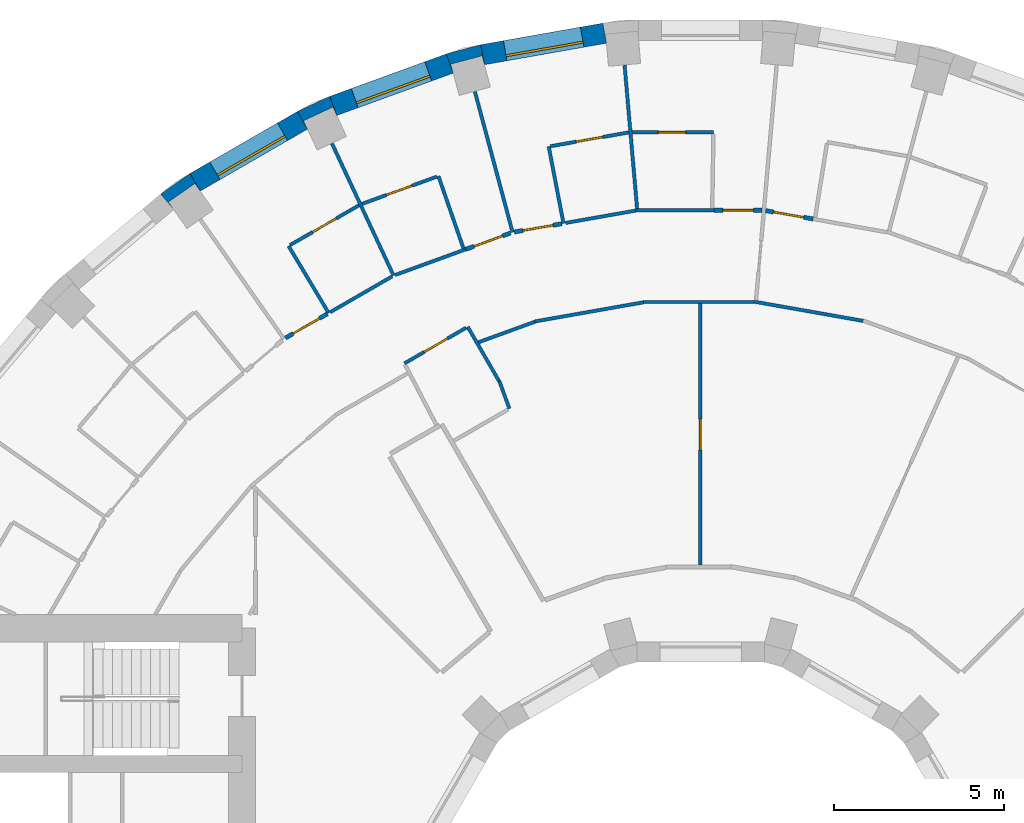
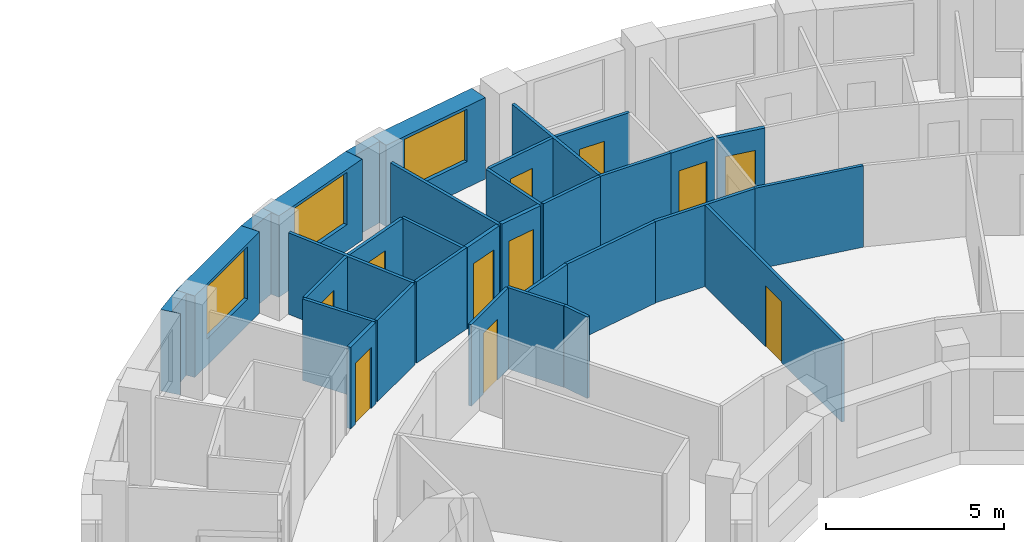
# One storey, part 9 of 12: 33 walls, 11 doors, 3 windows, 14 openings.
"""IFC4 building model written with IfcOpenShell, lengths in metres."""

from ifc_helpers import new_model, si_unit, direction, frame, frame_2d, origin, place, context, subcontext, project, spatial, polyline, rectangle, outline, extrude, material, layer, layer_set, type_object, element, fill, save


model = new_model("IFC4")

# Units and contexts
model_context = context("Model", 3, precision=1e-05, world=origin(), true_north=direction((0.0, 1.0)))
body_context = subcontext(model_context, "Body", "Model", "MODEL_VIEW")
ifc_project = project(units=[si_unit("LENGTHUNIT", "METRE"), si_unit("AREAUNIT", "SQUARE_METRE"), si_unit("VOLUMEUNIT", "CUBIC_METRE"), si_unit("PLANEANGLEUNIT", "RADIAN"), si_unit("MASSUNIT", "GRAM", prefix="KILO")], contexts=[model_context])

# Site, building, storey
site_placement = place(None, origin())
site = spatial("IfcSite", under=ifc_project, at=site_placement, CompositionType="ELEMENT")
building_placement = place(site_placement, origin())
building = spatial("IfcBuilding", under=site, at=building_placement, Name="Saqina Gate Tower", CompositionType="ELEMENT")
storey_placement = place(building_placement, frame((0.0, 0.0, 115.0)))
storey = spatial("IfcBuildingStorey", under=building, at=storey_placement, Name="L32", CompositionType="ELEMENT", Elevation=115.0)

# Walls
ifc_material_1 = material(Name="Brick masonry (buff)", Category="masonry")
wall_type_1 = type_object("IfcWallType", Name="BRICK PIER COPING BUFF", PredefinedType="SOLIDWALL", material=ifc_material_1)
wall_1_placement = place(storey_placement, origin())
element("IfcWall", 1, at=wall_1_placement, inside=storey, type_object=wall_type_1, Name="Pier cap L32 column 11", PredefinedType="SOLIDWALL", context=body_context, shape_type="SweptSolid", body=[
    extrude(outline(polyline([(-6.466796875, 26.171875), (-7.485595703125, 25.89892578125), (-7.2802734375, 25.335205078125), (-7.349853515625, 25.5947265625), (-6.43212890625, 25.8408203125), (-6.36279296875, 25.5810546875), (-6.466796875, 26.171875)])), origin(), (0.0, 0.0, 1.0), 2.800048828125),
])
wall_2_placement = place(storey_placement, origin())
element("IfcWall", 2, at=wall_2_placement, inside=storey, type_object=wall_type_1, Name="Pier cap L32 column 12", PredefinedType="SOLIDWALL", context=body_context, shape_type="SweptSolid", body=[
    extrude(outline(polyline([(-10.913330078125, 24.6513671875), (-11.869140625, 24.205810546875), (-11.569091796875, 23.68603515625), (-11.6826171875, 23.9296875), (-10.82177734375, 24.331298828125), (-10.7080078125, 24.08740234375), (-10.913330078125, 24.6513671875)])), origin(), (0.0, 0.0, 1.0), 2.800048828125),
])
wall_3_placement = place(storey_placement, origin())
element("IfcWall", 3, at=wall_3_placement, inside=storey, type_object=wall_type_1, Name="Pier cap L32 column 13", PredefinedType="SOLIDWALL", context=body_context, shape_type="SweptSolid", body=[
    extrude(outline(polyline([(-15.89208984375, 21.77685546875), (-15.50634765625, 21.317138671875), (-15.66064453125, 21.53759765625), (-14.88232421875, 22.08251953125), (-14.728271484375, 21.862060546875), (-15.0283203125, 22.3818359375), (-15.89208984375, 21.77685546875)])), origin(), (0.0, 0.0, 1.0), 2.800048828125),
])

# Wall, opening, window
ifc_material_2 = material(Name="Brick masonry (buff)", Category="masonry")
ifc_layer_1 = layer(ifc_material_2, 0.60009765625)
ifc_layer_set_1 = layer_set([ifc_layer_1], Name="FW-BRICK-BUFF")
wall_type_2 = type_object("IfcWallType", Name="FW-BRICK-BUFF", PredefinedType="SOLIDWALL", material=ifc_layer_set_1)
wall_4_placement = place(storey_placement, frame((-2.822265625, 26.510009765625, 0.0), z_axis=(0.0, 0.0, 1.0), x_axis=(-0.984803764455, -0.173670796382, 0.0)))
wall_4 = element("IfcWall", 4, at=wall_4_placement, inside=storey, type_object=wall_type_2, Name="Facade wall L32 facet 10", PredefinedType="SOLIDWALL", context=body_context, shape_type="SweptSolid", body=[
    extrude(rectangle(XDim=3.64794921875, YDim=0.60009765625, at=frame_2d((1.823974609375, 0.0))), origin(), (0.0, 0.0, 1.0), 2.800048828125),
])
opening_1_placement = place(wall_4_placement, frame((0.673828125, 0.0, 0.89990234375)))
opening_1 = element("IfcOpeningElement", 5, at=opening_1_placement, cuts=wall_4, Name="Opening G09-W08", PredefinedType="OPENING", context=body_context, shape_type="SweptSolid", body=[
    extrude(rectangle(XDim=2.300048828125, YDim=1.800048828125, at=frame_2d((1.14990234375, 0.89990234375))), frame((0.0, 0.31201171875, 0.0), z_axis=(0.0, -1.0, 0.0), x_axis=(1.0, 0.0, 0.0)), (0.0, 0.0, 1.0), 0.6240234375),
])
ifc_material_3 = material(Name="Aluminium glazing", Category="aluminium")
window_type = type_object("IfcWindowType", Name="WN-B", PartitioningType="SINGLE_PANEL", PredefinedType="WINDOW", material=ifc_material_3)
window_1_placement = place(opening_1_placement, origin())
window_1 = element("IfcWindow", 6, at=window_1_placement, inside=storey, type_object=window_type, Name="Window L32 facet 10", OverallHeight=1.800048828125, OverallWidth=2.300048828125, PartitioningType="SINGLE_PANEL", PredefinedType="WINDOW", context=body_context, shape_type="SweptSolid", body=[
    extrude(rectangle(XDim=2.300048828125, YDim=1.800048828125, at=frame_2d((1.14990234375, 0.89990234375))), frame((0.0, 0.179931640625, 0.0), z_axis=(0.0, -1.0, 0.0), x_axis=(1.0, 0.0, 0.0)), (0.0, 0.0, 1.0), 0.06005859375),
])
fill(opening_1, window_1)

wall_5_placement = place(storey_placement, frame((-7.3828125, 25.616943359375, 0.0), z_axis=(0.0, 0.0, 1.0), x_axis=(-0.939703505393, -0.341990236633, 0.0)))
wall_5 = element("IfcWall", 7, at=wall_5_placement, inside=storey, type_object=wall_type_2, Name="Facade wall L32 facet 11", PredefinedType="SOLIDWALL", context=body_context, shape_type="SweptSolid", body=[
    extrude(rectangle(XDim=3.64794921875, YDim=0.60009765625, at=frame_2d((1.823974609375, 0.0))), origin(), (0.0, 0.0, 1.0), 2.800048828125),
])
opening_2_placement = place(wall_5_placement, frame((0.673828125, 0.0, 0.89990234375)))
opening_2 = element("IfcOpeningElement", 8, at=opening_2_placement, cuts=wall_5, Name="Opening G09-W09", PredefinedType="OPENING", context=body_context, shape_type="SweptSolid", body=[
    extrude(rectangle(XDim=2.300048828125, YDim=1.800048828125, at=frame_2d((1.14990234375, 0.89990234375))), frame((0.0, 0.31201171875, 0.0), z_axis=(0.0, -1.0, 0.0), x_axis=(1.0, 0.0, 0.0)), (0.0, 0.0, 1.0), 0.6240234375),
])
window_2_placement = place(opening_2_placement, origin())
window_2 = element("IfcWindow", 9, at=window_2_placement, inside=storey, type_object=window_type, Name="Window L32 facet 11", OverallHeight=1.800048828125, OverallWidth=2.300048828125, PartitioningType="SINGLE_PANEL", PredefinedType="WINDOW", context=body_context, shape_type="SweptSolid", body=[
    extrude(rectangle(XDim=2.300048828125, YDim=1.800048828125, at=frame_2d((1.14990234375, 0.89990234375))), frame((0.0, 0.179931640625, 0.0), z_axis=(0.0, -1.0, 0.0), x_axis=(1.0, 0.0, 0.0)), (0.0, 0.0, 1.0), 0.06005859375),
])
fill(opening_2, window_2)

wall_6_placement = place(storey_placement, frame((-11.718994140625, 23.94580078125, 0.0), z_axis=(0.0, 0.0, 1.0), x_axis=(-0.866051847062, -0.499954196102, 0.0)))
wall_6 = element("IfcWall", 10, at=wall_6_placement, inside=storey, type_object=wall_type_2, Name="Facade wall L32 facet 12", PredefinedType="SOLIDWALL", context=body_context, shape_type="SweptSolid", body=[
    extrude(rectangle(XDim=3.647705078125, YDim=0.60009765625, at=frame_2d((1.82373046875, 0.0))), origin(), (0.0, 0.0, 1.0), 2.800048828125),
])
opening_3_placement = place(wall_6_placement, frame((0.673828125, 0.0, 0.89990234375)))
opening_3 = element("IfcOpeningElement", 11, at=opening_3_placement, cuts=wall_6, Name="Opening G09-W10", PredefinedType="OPENING", context=body_context, shape_type="SweptSolid", body=[
    extrude(rectangle(XDim=2.300048828125, YDim=1.800048828125, at=frame_2d((1.14990234375, 0.89990234375))), frame((0.0, 0.31201171875, 0.0), z_axis=(0.0, -1.0, 0.0), x_axis=(1.0, 0.0, 0.0)), (0.0, 0.0, 1.0), 0.6240234375),
])
window_3_placement = place(opening_3_placement, origin())
window_3 = element("IfcWindow", 12, at=window_3_placement, inside=storey, type_object=window_type, Name="Window L32 facet 12", OverallHeight=1.800048828125, OverallWidth=2.300048828125, PartitioningType="SINGLE_PANEL", PredefinedType="WINDOW", context=body_context, shape_type="SweptSolid", body=[
    extrude(rectangle(XDim=2.300048828125, YDim=1.800048828125, at=frame_2d((1.14990234375, 0.89990234375))), frame((0.0, 0.179931640625, 0.0), z_axis=(0.0, -1.0, 0.0), x_axis=(1.0, 0.0, 0.0)), (0.0, 0.0, 1.0), 0.06005859375),
])
fill(opening_3, window_3)

# Wall, opening, door
ifc_material_4 = material(Name="Gypsum board on steel studs, 100 mm", Category="steel")
ifc_layer_2 = layer(ifc_material_4, 0.10009765625)
ifc_layer_set_2 = layer_set([ifc_layer_2], Name="PARTITION 100")
wall_type_3 = type_object("IfcWallType", Name="PARTITION 100", PredefinedType="PARTITIONING", material=ifc_layer_set_2)
wall_7_placement = place(storey_placement, frame((-0.010986328125, 18.549072265625, 0.0), z_axis=(0.0, 0.0, 1.0), x_axis=(0.00063524317, -0.999999798233, 0.0)))
wall_7 = element("IfcWall", 13, at=wall_7_placement, inside=storey, type_object=wall_type_3, Name="PARTITION PW3-01", PredefinedType="PARTITIONING", context=body_context, shape_type="SweptSolid", body=[
    extrude(rectangle(XDim=7.6865234375, YDim=0.10009765625, at=frame_2d((3.84326171875, 0.0))), origin(), (0.0, 0.0, 1.0), 2.800048828125),
])
opening_4_placement = place(wall_7_placement, frame((3.400390625, 0.0, 0.0)))
opening_4 = element("IfcOpeningElement", 14, at=opening_4_placement, cuts=wall_7, Name="Opening G09-D12", PredefinedType="OPENING", context=body_context, shape_type="SweptSolid", body=[
    extrude(rectangle(XDim=0.89990234375, YDim=2.10009765625, at=frame_2d((0.449951171875, 1.050048828125))), frame((0.0, 0.06201171875, 0.0), z_axis=(0.0, -1.0, 0.0), x_axis=(1.0, 0.0, 0.0)), (0.0, 0.0, 1.0), 0.1240234375),
])
ifc_material_5 = material(Name="Timber door leaf, 900 mm", Category="wood")
door_type_1 = type_object("IfcDoorType", Name="DOOR 900 TIMBER", OperationType="SINGLE_SWING_LEFT", PredefinedType="DOOR", material=ifc_material_5)
door_1_placement = place(opening_4_placement, frame((0.89990234375, 0.0, 0.0), z_axis=(0.0, 0.0, 1.0), x_axis=(-1.0, 0.0, 0.0)))
door_1 = element("IfcDoor", 15, at=door_1_placement, inside=storey, type_object=door_type_1, Name="DOOR G09-D12", OperationType="SINGLE_SWING_LEFT", OverallHeight=2.10009765625, OverallWidth=0.89990234375, PredefinedType="DOOR", context=body_context, shape_type="SweptSolid", body=[
    extrude(rectangle(XDim=0.89990234375, YDim=2.10009765625, at=frame_2d((0.449951171875, 1.050048828125))), frame((0.0, 0.02490234375, 0.0), z_axis=(0.0, -1.0, 0.0), x_axis=(1.0, 0.0, 0.0)), (0.0, 0.0, 1.0), 0.050048828125),
])
fill(opening_4, door_1)

# Walls
wall_8_placement = place(storey_placement, frame((-2.2373046875, 25.5673828125, 0.0), z_axis=(0.0, 0.0, 1.0), x_axis=(0.087069733525, -0.996202219182, 0.0)))
element("IfcWall", 16, at=wall_8_placement, inside=storey, type_object=wall_type_3, Name="PARTITION PW3-03", PredefinedType="PARTITIONING", context=body_context, shape_type="SweptSolid", body=[
    extrude(rectangle(XDim=4.23681640625, YDim=0.10009765625, at=frame_2d((2.118408203125, 0.0))), origin(), (0.0, 0.0, 1.0), 2.800048828125),
])
wall_9_placement = place(storey_placement, frame((-4.469970703125, 23.173095703125, 0.0), z_axis=(0.0, 0.0, 1.0), x_axis=(0.189111104653, -0.981955696606, 0.0)))
element("IfcWall", 17, at=wall_9_placement, inside=storey, type_object=wall_type_3, Name="PARTITION PW3-05", PredefinedType="PARTITIONING", context=body_context, shape_type="SweptSolid", body=[
    extrude(rectangle(XDim=2.300537109375, YDim=0.10009765625, at=frame_2d((1.150390625, 0.0))), origin(), (0.0, 0.0, 1.0), 2.800048828125),
])
wall_10_placement = place(storey_placement, frame((-6.642333984375, 24.79052734375, 0.0), z_axis=(0.0, 0.0, 1.0), x_axis=(0.258796817064, -0.965931782, 0.0)))
element("IfcWall", 18, at=wall_10_placement, inside=storey, type_object=wall_type_3, Name="PARTITION PW3-06", PredefinedType="PARTITIONING", context=body_context, shape_type="SweptSolid", body=[
    extrude(rectangle(XDim=4.28662109375, YDim=0.10009765625, at=frame_2d((2.143310546875, 0.0))), origin(), (0.0, 0.0, 1.0), 2.800048828125),
])
wall_11_placement = place(storey_placement, frame((-7.715087890625, 22.303955078125, 0.0), z_axis=(0.0, 0.0, 1.0), x_axis=(0.326980146938, -0.94503120769, 0.0)))
element("IfcWall", 19, at=wall_11_placement, inside=storey, type_object=wall_type_3, Name="PARTITION PW3-07", PredefinedType="PARTITIONING", context=body_context, shape_type="SweptSolid", body=[
    extrude(rectangle(XDim=2.25048828125, YDim=0.10009765625, at=frame_2d((1.125244140625, 0.0))), origin(), (0.0, 0.0, 1.0), 2.800048828125),
])
wall_12_placement = place(storey_placement, frame((-5.92529296875, 16.27880859375, 0.0), z_axis=(0.0, 0.0, 1.0), x_axis=(0.3425983225, -0.939481979295, 0.0)))
element("IfcWall", 20, at=wall_12_placement, inside=storey, type_object=wall_type_3, Name="PARTITION PW3-08", PredefinedType="PARTITIONING", context=body_context, shape_type="SweptSolid", body=[
    extrude(rectangle(XDim=0.870849609375, YDim=0.10009765625, at=frame_2d((0.435546875, 0.0))), origin(), (0.0, 0.0, 1.0), 2.800048828125),
])
wall_13_placement = place(storey_placement, frame((-10.84716796875, 23.260009765625, 0.0), z_axis=(0.0, 0.0, 1.0), x_axis=(0.422829334028, -0.906209332487, 0.0)))
element("IfcWall", 21, at=wall_13_placement, inside=storey, type_object=wall_type_3, Name="PARTITION PW3-09", PredefinedType="PARTITIONING", context=body_context, shape_type="SweptSolid", body=[
    extrude(rectangle(XDim=4.2861328125, YDim=0.10009765625, at=frame_2d((2.14306640625, 0.0))), origin(), (0.0, 0.0, 1.0), 2.800048828125),
])
wall_14_placement = place(storey_placement, frame((-6.85302734375, 17.867919921875, 0.0), z_axis=(0.0, 0.0, 1.0), x_axis=(0.499963655964, -0.866046386007, 0.0)))
element("IfcWall", 22, at=wall_14_placement, inside=storey, type_object=wall_type_3, Name="PARTITION PW3-13", PredefinedType="PARTITIONING", context=body_context, shape_type="SweptSolid", body=[
    extrude(rectangle(XDim=1.840087890625, YDim=0.10009765625, at=frame_2d((0.919921875, 0.0))), origin(), (0.0, 0.0, 1.0), 2.800048828125),
])
wall_15_placement = place(storey_placement, frame((-12.1259765625, 20.2470703125, 0.0), z_axis=(0.0, 0.0, 1.0), x_axis=(0.513668498435, -0.857988737522, 0.0)))
element("IfcWall", 23, at=wall_15_placement, inside=storey, type_object=wall_type_3, Name="PARTITION PW3-15", PredefinedType="PARTITIONING", context=body_context, shape_type="SweptSolid", body=[
    extrude(rectangle(XDim=2.30078125, YDim=0.10009765625, at=frame_2d((1.150390625, 0.0))), origin(), (0.0, 0.0, 1.0), 2.800048828125),
])
wall_16_placement = place(storey_placement, frame((1.576904296875, 18.60791015625, 0.0), z_axis=(0.0, 0.0, 1.0), x_axis=(0.984812236301, -0.173622749755, 0.0)))
element("IfcWall", 24, at=wall_16_placement, inside=storey, type_object=wall_type_3, Name="PARTITION PW3-49", PredefinedType="PARTITIONING", context=body_context, shape_type="SweptSolid", body=[
    extrude(rectangle(XDim=3.25537109375, YDim=0.10009765625, at=frame_2d((1.627685546875, 0.0))), origin(), (0.0, 0.0, 1.0), 2.800048828125),
])
wall_17_placement = place(storey_placement, frame((-1.677734375, 18.59912109375, 0.0), z_axis=(0.0, 0.0, 1.0), x_axis=(1.0, 0.0, 0.0)))
element("IfcWall", 25, at=wall_17_placement, inside=storey, type_object=wall_type_3, Name="PARTITION PW3-55", PredefinedType="PARTITIONING", context=body_context, shape_type="SweptSolid", body=[
    extrude(rectangle(XDim=3.254638671875, YDim=0.10009765625, at=frame_2d((1.62744140625, 0.0))), origin(), (0.0, 0.0, 1.0), 2.800048828125),
])
wall_18_placement = place(storey_placement, frame((-1.913818359375, 21.297119140625, 0.0), z_axis=(0.0, 0.0, 1.0), x_axis=(1.0, 0.0, 0.0)))
element("IfcWall", 26, at=wall_18_placement, inside=storey, type_object=wall_type_3, Name="PARTITION PW3-56", PredefinedType="PARTITIONING", context=body_context, shape_type="SweptSolid", body=[
    extrude(rectangle(XDim=2.304931640625, YDim=0.10009765625, at=frame_2d((1.15234375, 0.0))), origin(), (0.0, 0.0, 1.0), 2.800048828125),
])

# Wall, opening, door
wall_19_placement = place(storey_placement, frame((-2.013916015625, 23.596923828125, 0.0), z_axis=(0.0, 0.0, 1.0), x_axis=(1.0, 0.0, 0.0)))
wall_19 = element("IfcWall", 27, at=wall_19_placement, inside=storey, type_object=wall_type_3, Name="PARTITION PW3-57", PredefinedType="PARTITIONING", context=body_context, shape_type="SweptSolid", body=[
    extrude(rectangle(XDim=2.391845703125, YDim=0.10009765625, at=frame_2d((1.19580078125, 0.0))), origin(), (0.0, 0.0, 1.0), 2.800048828125),
])
opening_5_placement = place(wall_19_placement, frame((0.77099609375, 0.0, 0.0)))
opening_5 = element("IfcOpeningElement", 28, at=opening_5_placement, cuts=wall_19, Name="Opening G09-D13", PredefinedType="OPENING", context=body_context, shape_type="SweptSolid", body=[
    extrude(rectangle(XDim=0.800048828125, YDim=2.10009765625, at=frame_2d((0.39990234375, 1.050048828125))), frame((0.0, 0.06201171875, 0.0), z_axis=(0.0, -1.0, 0.0), x_axis=(1.0, 0.0, 0.0)), (0.0, 0.0, 1.0), 0.1240234375),
])
ifc_material_6 = material(Name="Timber door leaf, 800 mm", Category="wood")
door_type_2 = type_object("IfcDoorType", Name="DOOR 800 TIMBER", OperationType="SINGLE_SWING_LEFT", PredefinedType="DOOR", material=ifc_material_6)
door_2_placement = place(opening_5_placement, origin())
door_2 = element("IfcDoor", 29, at=door_2_placement, inside=storey, type_object=door_type_2, Name="DOOR G09-D13", OperationType="SINGLE_SWING_LEFT", OverallHeight=2.10009765625, OverallWidth=0.800048828125, PredefinedType="DOOR", context=body_context, shape_type="SweptSolid", body=[
    extrude(rectangle(XDim=0.800048828125, YDim=2.10009765625, at=frame_2d((0.39990234375, 1.050048828125))), frame((0.0, 0.02490234375, 0.0), z_axis=(0.0, -1.0, 0.0), x_axis=(1.0, 0.0, 0.0)), (0.0, 0.0, 1.0), 0.050048828125),
])
fill(opening_5, door_2)

# Walls
wall_20_placement = place(storey_placement, frame((-4.882080078125, 18.025146484375, 0.0), z_axis=(0.0, 0.0, 1.0), x_axis=(0.984812236301, 0.173622749755, 0.0)))
element("IfcWall", 30, at=wall_20_placement, inside=storey, type_object=wall_type_3, Name="PARTITION PW3-61", PredefinedType="PARTITIONING", context=body_context, shape_type="SweptSolid", body=[
    extrude(rectangle(XDim=3.25537109375, YDim=0.10009765625, at=frame_2d((1.627685546875, 0.0))), origin(), (0.0, 0.0, 1.0), 2.800048828125),
])
wall_21_placement = place(storey_placement, frame((-3.973388671875, 20.9248046875, 0.0), z_axis=(0.0, 0.0, 1.0), x_axis=(0.984798821906, 0.173698820874, 0.0)))
element("IfcWall", 31, at=wall_21_placement, inside=storey, type_object=wall_type_3, Name="PARTITION PW3-62", PredefinedType="PARTITIONING", context=body_context, shape_type="SweptSolid", body=[
    extrude(rectangle(XDim=2.0927734375, YDim=0.10009765625, at=frame_2d((1.04638671875, 0.0))), origin(), (0.0, 0.0, 1.0), 2.800048828125),
])

# Wall, opening, door
wall_22_placement = place(storey_placement, frame((-4.420654296875, 23.181640625, 0.0), z_axis=(0.0, 0.0, 1.0), x_axis=(0.98481606109, 0.173601053621, 0.0)))
wall_22 = element("IfcWall", 32, at=wall_22_placement, inside=storey, type_object=wall_type_3, Name="PARTITION PW3-63", PredefinedType="PARTITIONING", context=body_context, shape_type="SweptSolid", body=[
    extrude(rectangle(XDim=2.343017578125, YDim=0.10009765625, at=frame_2d((1.17138671875, 0.0))), origin(), (0.0, 0.0, 1.0), 2.800048828125),
])
opening_6_placement = place(wall_22_placement, frame((0.771484375, 0.0, 0.0)))
opening_6 = element("IfcOpeningElement", 33, at=opening_6_placement, cuts=wall_22, Name="Opening G09-D14", PredefinedType="OPENING", context=body_context, shape_type="SweptSolid", body=[
    extrude(rectangle(XDim=0.800048828125, YDim=2.10009765625, at=frame_2d((0.39990234375, 1.050048828125))), frame((0.0, 0.06201171875, 0.0), z_axis=(0.0, -1.0, 0.0), x_axis=(1.0, 0.0, 0.0)), (0.0, 0.0, 1.0), 0.1240234375),
])
door_3_placement = place(opening_6_placement, origin())
door_3 = element("IfcDoor", 34, at=door_3_placement, inside=storey, type_object=door_type_2, Name="DOOR G09-D14", OperationType="SINGLE_SWING_LEFT", OverallHeight=2.10009765625, OverallWidth=0.800048828125, PredefinedType="DOOR", context=body_context, shape_type="SweptSolid", body=[
    extrude(rectangle(XDim=0.800048828125, YDim=2.10009765625, at=frame_2d((0.39990234375, 1.050048828125))), frame((0.0, 0.02490234375, 0.0), z_axis=(0.0, -1.0, 0.0), x_axis=(1.0, 0.0, 0.0)), (0.0, 0.0, 1.0), 0.050048828125),
])
fill(opening_6, door_3)

# Walls
wall_23_placement = place(storey_placement, frame((-6.533935546875, 17.4140625, 0.0), z_axis=(0.0, 0.0, 1.0), x_axis=(0.93961928365, 0.342221568275, 0.0)))
element("IfcWall", 35, at=wall_23_placement, inside=storey, type_object=wall_type_3, Name="PARTITION PW3-64", PredefinedType="PARTITIONING", context=body_context, shape_type="SweptSolid", body=[
    extrude(rectangle(XDim=1.761474609375, YDim=0.10009765625, at=frame_2d((0.880859375, 0.0))), origin(), (0.0, 0.0, 1.0), 2.800048828125),
])
wall_24_placement = place(storey_placement, frame((-8.988037109375, 19.39306640625, 0.0), z_axis=(0.0, 0.0, 1.0), x_axis=(0.939693168022, 0.342018639804, 0.0)))
element("IfcWall", 36, at=wall_24_placement, inside=storey, type_object=wall_type_3, Name="PARTITION PW3-65", PredefinedType="PARTITIONING", context=body_context, shape_type="SweptSolid", body=[
    extrude(rectangle(XDim=2.205078125, YDim=0.10009765625, at=frame_2d((1.1025390625, 0.0))), origin(), (0.0, 0.0, 1.0), 2.800048828125),
])

# Wall, opening, door
wall_25_placement = place(storey_placement, frame((-9.964111328125, 21.485107421875, 0.0), z_axis=(0.0, 0.0, 1.0), x_axis=(0.939659520623, 0.342111071588, 0.0)))
wall_25 = element("IfcWall", 37, at=wall_25_placement, inside=storey, type_object=wall_type_3, Name="PARTITION PW3-66", PredefinedType="PARTITIONING", context=body_context, shape_type="SweptSolid", body=[
    extrude(rectangle(XDim=2.343505859375, YDim=0.10009765625, at=frame_2d((1.171875, 0.0))), origin(), (0.0, 0.0, 1.0), 2.800048828125),
])
opening_7_placement = place(wall_25_placement, frame((0.771728515625, 0.0, 0.0)))
opening_7 = element("IfcOpeningElement", 38, at=opening_7_placement, cuts=wall_25, Name="Opening G09-D17", PredefinedType="OPENING", context=body_context, shape_type="SweptSolid", body=[
    extrude(rectangle(XDim=0.800048828125, YDim=2.10009765625, at=frame_2d((0.39990234375, 1.050048828125))), frame((0.0, 0.06201171875, 0.0), z_axis=(0.0, -1.0, 0.0), x_axis=(1.0, 0.0, 0.0)), (0.0, 0.0, 1.0), 0.1240234375),
])
door_4_placement = place(opening_7_placement, origin())
door_4 = element("IfcDoor", 39, at=door_4_placement, inside=storey, type_object=door_type_2, Name="DOOR G09-D17", OperationType="SINGLE_SWING_LEFT", OverallHeight=2.10009765625, OverallWidth=0.800048828125, PredefinedType="DOOR", context=body_context, shape_type="SweptSolid", body=[
    extrude(rectangle(XDim=0.800048828125, YDim=2.10009765625, at=frame_2d((0.39990234375, 1.050048828125))), frame((0.0, 0.02490234375, 0.0), z_axis=(0.0, -1.0, 0.0), x_axis=(1.0, 0.0, 0.0)), (0.0, 0.0, 1.0), 0.050048828125),
])
fill(opening_7, door_4)

wall_26_placement = place(storey_placement, frame((-8.717041015625, 16.791015625, 0.0), z_axis=(0.0, 0.0, 1.0), x_axis=(0.865866191869, 0.50027566179, 0.0)))
wall_26 = element("IfcWall", 40, at=wall_26_placement, inside=storey, type_object=wall_type_3, Name="PARTITION PW3-69", PredefinedType="PARTITIONING", context=body_context, shape_type="SweptSolid", body=[
    extrude(rectangle(XDim=2.100830078125, YDim=0.10009765625, at=frame_2d((1.05029296875, 0.0))), origin(), (0.0, 0.0, 1.0), 2.800048828125),
])
opening_8_placement = place(wall_26_placement, frame((0.676513671875, 0.0, 0.0)))
opening_8 = element("IfcOpeningElement", 41, at=opening_8_placement, cuts=wall_26, Name="Opening G09-D18", PredefinedType="OPENING", context=body_context, shape_type="SweptSolid", body=[
    extrude(rectangle(XDim=0.800048828125, YDim=2.10009765625, at=frame_2d((0.39990234375, 1.050048828125))), frame((0.0, 0.06201171875, 0.0), z_axis=(0.0, -1.0, 0.0), x_axis=(1.0, 0.0, 0.0)), (0.0, 0.0, 1.0), 0.1240234375),
])
door_5_placement = place(opening_8_placement, origin())
door_5 = element("IfcDoor", 42, at=door_5_placement, inside=storey, type_object=door_type_2, Name="DOOR G09-D18", OperationType="SINGLE_SWING_RIGHT", OverallHeight=2.10009765625, OverallWidth=0.800048828125, PredefinedType="DOOR", context=body_context, shape_type="SweptSolid", body=[
    extrude(rectangle(XDim=0.800048828125, YDim=2.10009765625, at=frame_2d((0.39990234375, 1.050048828125))), frame((0.0, 0.02490234375, 0.0), z_axis=(0.0, -1.0, 0.0), x_axis=(1.0, 0.0, 0.0)), (0.0, 0.0, 1.0), 0.050048828125),
])
fill(opening_8, door_5)

# Wall
wall_27_placement = place(storey_placement, frame((-10.900634765625, 18.298095703125, 0.0), z_axis=(0.0, 0.0, 1.0), x_axis=(0.865841622723, 0.50031818312, 0.0)))
element("IfcWall", 43, at=wall_27_placement, inside=storey, type_object=wall_type_3, Name="PARTITION PW3-70", PredefinedType="PARTITIONING", context=body_context, shape_type="SweptSolid", body=[
    extrude(rectangle(XDim=2.104736328125, YDim=0.10009765625, at=frame_2d((1.05224609375, 0.0))), origin(), (0.0, 0.0, 1.0), 2.800048828125),
])

# Wall, opening, door
wall_28_placement = place(storey_placement, frame((-12.082763671875, 20.27197265625, 0.0), z_axis=(0.0, 0.0, 1.0), x_axis=(0.86603458294, 0.499984100898, 0.0)))
wall_28 = element("IfcWall", 44, at=wall_28_placement, inside=storey, type_object=wall_type_3, Name="PARTITION PW3-71", PredefinedType="PARTITIONING", context=body_context, shape_type="SweptSolid", body=[
    extrude(rectangle(XDim=2.34228515625, YDim=0.10009765625, at=frame_2d((1.171142578125, 0.0))), origin(), (0.0, 0.0, 1.0), 2.800048828125),
])
opening_9_placement = place(wall_28_placement, frame((0.77099609375, 0.0, 0.0)))
opening_9 = element("IfcOpeningElement", 45, at=opening_9_placement, cuts=wall_28, Name="Opening G09-D19", PredefinedType="OPENING", context=body_context, shape_type="SweptSolid", body=[
    extrude(rectangle(XDim=0.800048828125, YDim=2.10009765625, at=frame_2d((0.39990234375, 1.050048828125))), frame((0.0, 0.06201171875, 0.0), z_axis=(0.0, -1.0, 0.0), x_axis=(1.0, 0.0, 0.0)), (0.0, 0.0, 1.0), 0.1240234375),
])
door_6_placement = place(opening_9_placement, origin())
door_6 = element("IfcDoor", 46, at=door_6_placement, inside=storey, type_object=door_type_2, Name="DOOR G09-D19", OperationType="SINGLE_SWING_RIGHT", OverallHeight=2.10009765625, OverallWidth=0.800048828125, PredefinedType="DOOR", context=body_context, shape_type="SweptSolid", body=[
    extrude(rectangle(XDim=0.800048828125, YDim=2.10009765625, at=frame_2d((0.39990234375, 1.050048828125))), frame((0.0, 0.02490234375, 0.0), z_axis=(0.0, -1.0, 0.0), x_axis=(1.0, 0.0, 0.0)), (0.0, 0.0, 1.0), 0.050048828125),
])
fill(opening_9, door_6)

ifc_material_7 = material(Name="Gypsum board on steel studs, 125 mm, fire rated", Category="steel")
ifc_layer_3 = layer(ifc_material_7, 0.125)
ifc_layer_set_3 = layer_set([ifc_layer_3], Name="PARTITION EI 30 125")
wall_type_4 = type_object("IfcWallType", Name="PARTITION EI 30 125", PredefinedType="PARTITIONING", material=ifc_layer_set_3)
wall_29_placement = place(storey_placement, frame((1.912353515625, 21.288330078125, 0.0), z_axis=(0.0, 0.0, 1.0), x_axis=(0.984849170905, -0.173413121097, 0.0)))
wall_29 = element("IfcWall", 47, at=wall_29_placement, inside=storey, type_object=wall_type_4, Name="PARTITION PW1-22", PredefinedType="PARTITIONING", context=body_context, shape_type="SweptSolid", body=[
    extrude(rectangle(XDim=1.421875, YDim=0.125, at=frame_2d((0.7109375, 0.0))), origin(), (0.0, 0.0, 1.0), 2.800048828125),
])
opening_10_placement = place(wall_29_placement, frame((0.2373046875, 0.0, 0.0)))
opening_10 = element("IfcOpeningElement", 48, at=opening_10_placement, cuts=wall_29, Name="Opening G09-D09", PredefinedType="OPENING", context=body_context, shape_type="SweptSolid", body=[
    extrude(rectangle(XDim=0.89990234375, YDim=2.10009765625, at=frame_2d((0.449951171875, 1.050048828125))), frame((0.0, 0.074462890625, 0.0), z_axis=(0.0, -1.0, 0.0), x_axis=(1.0, 0.0, 0.0)), (0.0, 0.0, 1.0), 0.14892578125),
])
ifc_material_8 = material(Name="Fire door leaf EI 30, 900 mm")
door_type_3 = type_object("IfcDoorType", Name="DOOR 900 EI 30", OperationType="SINGLE_SWING_LEFT", PredefinedType="DOOR", material=ifc_material_8)
door_7_placement = place(opening_10_placement, frame((0.89990234375, 0.0, 0.0), z_axis=(0.0, 0.0, 1.0), x_axis=(-1.0, 0.0, 0.0)))
door_7 = element("IfcDoor", 49, at=door_7_placement, inside=storey, type_object=door_type_3, Name="DOOR G09-D09", OperationType="SINGLE_SWING_RIGHT", OverallHeight=2.10009765625, OverallWidth=0.89990234375, PredefinedType="DOOR", context=body_context, shape_type="SweptSolid", body=[
    extrude(rectangle(XDim=0.89990234375, YDim=2.10009765625, at=frame_2d((0.449951171875, 1.050048828125))), frame((0.0, 0.02490234375, 0.0), z_axis=(0.0, -1.0, 0.0), x_axis=(1.0, 0.0, 0.0)), (0.0, 0.0, 1.0), 0.050048828125),
])
fill(opening_10, door_7)

wall_30_placement = place(storey_placement, frame((0.39111328125, 21.297119140625, 0.0), z_axis=(0.0, 0.0, 1.0), x_axis=(1.0, 0.0, 0.0)))
wall_30 = element("IfcWall", 50, at=wall_30_placement, inside=storey, type_object=wall_type_4, Name="PARTITION PW1-26", PredefinedType="PARTITIONING", context=body_context, shape_type="SweptSolid", body=[
    extrude(rectangle(XDim=1.421875, YDim=0.125, at=frame_2d((0.7109375, 0.0))), origin(), (0.0, 0.0, 1.0), 2.800048828125),
])
opening_11_placement = place(wall_30_placement, frame((0.260986328125, 0.0, 0.0)))
opening_11 = element("IfcOpeningElement", 51, at=opening_11_placement, cuts=wall_30, Name="Opening G09-D11", PredefinedType="OPENING", context=body_context, shape_type="SweptSolid", body=[
    extrude(rectangle(XDim=0.89990234375, YDim=2.10009765625, at=frame_2d((0.449951171875, 1.050048828125))), frame((0.0, 0.074462890625, 0.0), z_axis=(0.0, -1.0, 0.0), x_axis=(1.0, 0.0, 0.0)), (0.0, 0.0, 1.0), 0.14892578125),
])
door_8_placement = place(opening_11_placement, frame((0.89990234375, 0.0, 0.0), z_axis=(0.0, 0.0, 1.0), x_axis=(-1.0, 0.0, 0.0)))
door_8 = element("IfcDoor", 52, at=door_8_placement, inside=storey, type_object=door_type_3, Name="DOOR G09-D11", OperationType="SINGLE_SWING_LEFT", OverallHeight=2.10009765625, OverallWidth=0.89990234375, PredefinedType="DOOR", context=body_context, shape_type="SweptSolid", body=[
    extrude(rectangle(XDim=0.89990234375, YDim=2.10009765625, at=frame_2d((0.449951171875, 1.050048828125))), frame((0.0, 0.02490234375, 0.0), z_axis=(0.0, -1.0, 0.0), x_axis=(1.0, 0.0, 0.0)), (0.0, 0.0, 1.0), 0.050048828125),
])
fill(opening_11, door_8)

wall_31_placement = place(storey_placement, frame((-5.483642578125, 20.658447265625, 0.0), z_axis=(0.0, 0.0, 1.0), x_axis=(0.985189047637, 0.17147168984, 0.0)))
wall_31 = element("IfcWall", 53, at=wall_31_placement, inside=storey, type_object=wall_type_4, Name="PARTITION PW1-27", PredefinedType="PARTITIONING", context=body_context, shape_type="SweptSolid", body=[
    extrude(rectangle(XDim=1.4208984375, YDim=0.125, at=frame_2d((0.71044921875, 0.0))), origin(), (0.0, 0.0, 1.0), 2.800048828125),
])
opening_12_placement = place(wall_31_placement, frame((0.260498046875, 0.0, 0.0)))
opening_12 = element("IfcOpeningElement", 54, at=opening_12_placement, cuts=wall_31, Name="Opening G09-D15", PredefinedType="OPENING", context=body_context, shape_type="SweptSolid", body=[
    extrude(rectangle(XDim=0.89990234375, YDim=2.10009765625, at=frame_2d((0.449951171875, 1.050048828125))), frame((0.0, 0.074462890625, 0.0), z_axis=(0.0, -1.0, 0.0), x_axis=(1.0, 0.0, 0.0)), (0.0, 0.0, 1.0), 0.14892578125),
])
door_9_placement = place(opening_12_placement, frame((0.89990234375, 0.0, 0.0), z_axis=(0.0, 0.0, 1.0), x_axis=(-1.0, 0.0, 0.0)))
door_9 = element("IfcDoor", 55, at=door_9_placement, inside=storey, type_object=door_type_3, Name="DOOR G09-D15", OperationType="SINGLE_SWING_RIGHT", OverallHeight=2.10009765625, OverallWidth=0.89990234375, PredefinedType="DOOR", context=body_context, shape_type="SweptSolid", body=[
    extrude(rectangle(XDim=0.89990234375, YDim=2.10009765625, at=frame_2d((0.449951171875, 1.050048828125))), frame((0.0, 0.02490234375, 0.0), z_axis=(0.0, -1.0, 0.0), x_axis=(1.0, 0.0, 0.0)), (0.0, 0.0, 1.0), 0.050048828125),
])
fill(opening_12, door_9)

wall_32_placement = place(storey_placement, frame((-6.916015625, 20.14697265625, 0.0), z_axis=(0.0, 0.0, 1.0), x_axis=(0.9397580078, 0.341840440522, 0.0)))
wall_32 = element("IfcWall", 56, at=wall_32_placement, inside=storey, type_object=wall_type_4, Name="PARTITION PW1-33", PredefinedType="PARTITIONING", context=body_context, shape_type="SweptSolid", body=[
    extrude(rectangle(XDim=1.4091796875, YDim=0.125, at=frame_2d((0.70458984375, 0.0))), origin(), (0.0, 0.0, 1.0), 2.800048828125),
])
opening_13_placement = place(wall_32_placement, frame((0.26025390625, 0.0, 0.0)))
opening_13 = element("IfcOpeningElement", 57, at=opening_13_placement, cuts=wall_32, Name="Opening G09-D16", PredefinedType="OPENING", context=body_context, shape_type="SweptSolid", body=[
    extrude(rectangle(XDim=0.89990234375, YDim=2.10009765625, at=frame_2d((0.449951171875, 1.050048828125))), frame((0.0, 0.074462890625, 0.0), z_axis=(0.0, -1.0, 0.0), x_axis=(1.0, 0.0, 0.0)), (0.0, 0.0, 1.0), 0.14892578125),
])
door_10_placement = place(opening_13_placement, frame((0.89990234375, 0.0, 0.0), z_axis=(0.0, 0.0, 1.0), x_axis=(-1.0, 0.0, 0.0)))
door_10 = element("IfcDoor", 58, at=door_10_placement, inside=storey, type_object=door_type_3, Name="DOOR G09-D16", OperationType="SINGLE_SWING_LEFT", OverallHeight=2.10009765625, OverallWidth=0.89990234375, PredefinedType="DOOR", context=body_context, shape_type="SweptSolid", body=[
    extrude(rectangle(XDim=0.89990234375, YDim=2.10009765625, at=frame_2d((0.449951171875, 1.050048828125))), frame((0.0, 0.02490234375, 0.0), z_axis=(0.0, -1.0, 0.0), x_axis=(1.0, 0.0, 0.0)), (0.0, 0.0, 1.0), 0.050048828125),
])
fill(opening_13, door_10)

wall_33_placement = place(storey_placement, frame((-12.21875, 17.537109375, 0.0), z_axis=(0.0, 0.0, 1.0), x_axis=(0.866036909293, 0.499980071345, 0.0)))
wall_33 = element("IfcWall", 59, at=wall_33_placement, inside=storey, type_object=wall_type_4, Name="PARTITION PW1-36", PredefinedType="PARTITIONING", context=body_context, shape_type="SweptSolid", body=[
    extrude(rectangle(XDim=1.421875, YDim=0.125, at=frame_2d((0.7109375, 0.0))), origin(), (0.0, 0.0, 1.0), 2.800048828125),
])
opening_14_placement = place(wall_33_placement, frame((0.260986328125, 0.0, 0.0)))
opening_14 = element("IfcOpeningElement", 60, at=opening_14_placement, cuts=wall_33, Name="Opening G09-D20", PredefinedType="OPENING", context=body_context, shape_type="SweptSolid", body=[
    extrude(rectangle(XDim=0.89990234375, YDim=2.10009765625, at=frame_2d((0.449951171875, 1.050048828125))), frame((0.0, 0.074462890625, 0.0), z_axis=(0.0, -1.0, 0.0), x_axis=(1.0, 0.0, 0.0)), (0.0, 0.0, 1.0), 0.14892578125),
])
door_11_placement = place(opening_14_placement, frame((0.89990234375, 0.0, 0.0), z_axis=(0.0, 0.0, 1.0), x_axis=(-1.0, 0.0, 0.0)))
door_11 = element("IfcDoor", 61, at=door_11_placement, inside=storey, type_object=door_type_3, Name="DOOR G09-D20", OperationType="SINGLE_SWING_RIGHT", OverallHeight=2.10009765625, OverallWidth=0.89990234375, PredefinedType="DOOR", context=body_context, shape_type="SweptSolid", body=[
    extrude(rectangle(XDim=0.89990234375, YDim=2.10009765625, at=frame_2d((0.449951171875, 1.050048828125))), frame((0.0, 0.02490234375, 0.0), z_axis=(0.0, -1.0, 0.0), x_axis=(1.0, 0.0, 0.0)), (0.0, 0.0, 1.0), 0.050048828125),
])
fill(opening_14, door_11)

save(model, "model.ifc")
